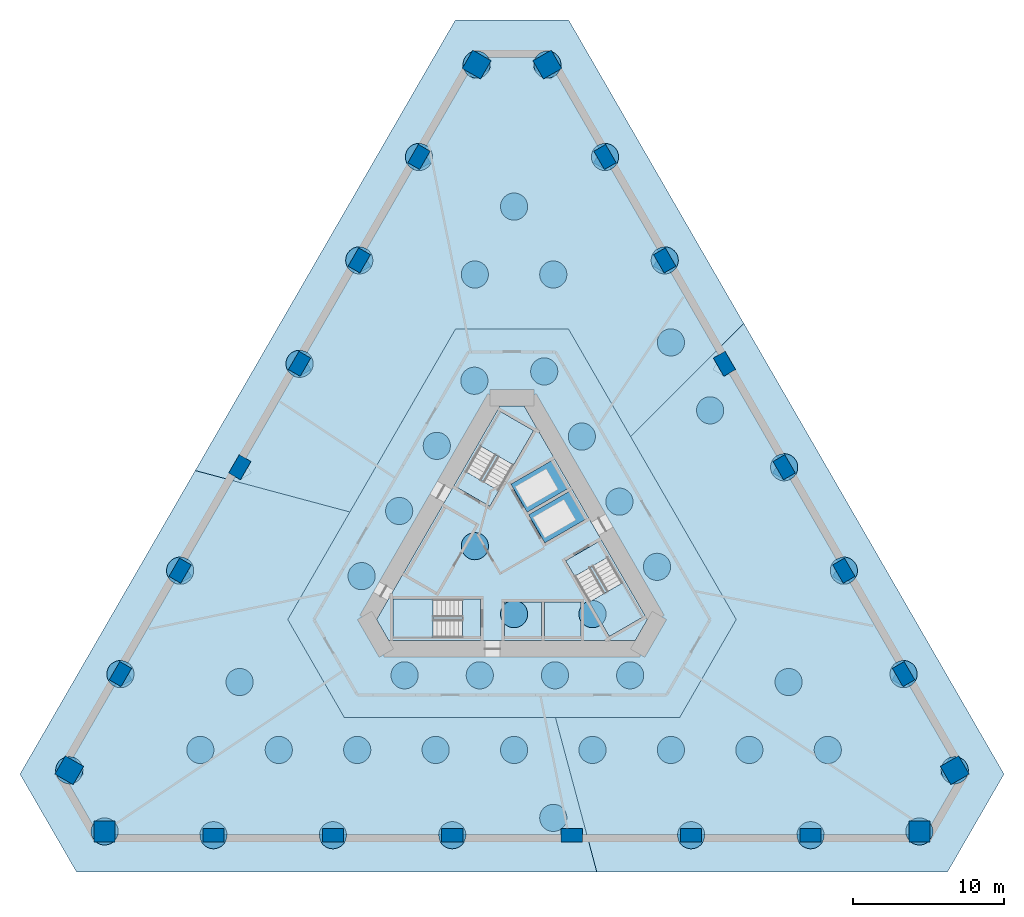
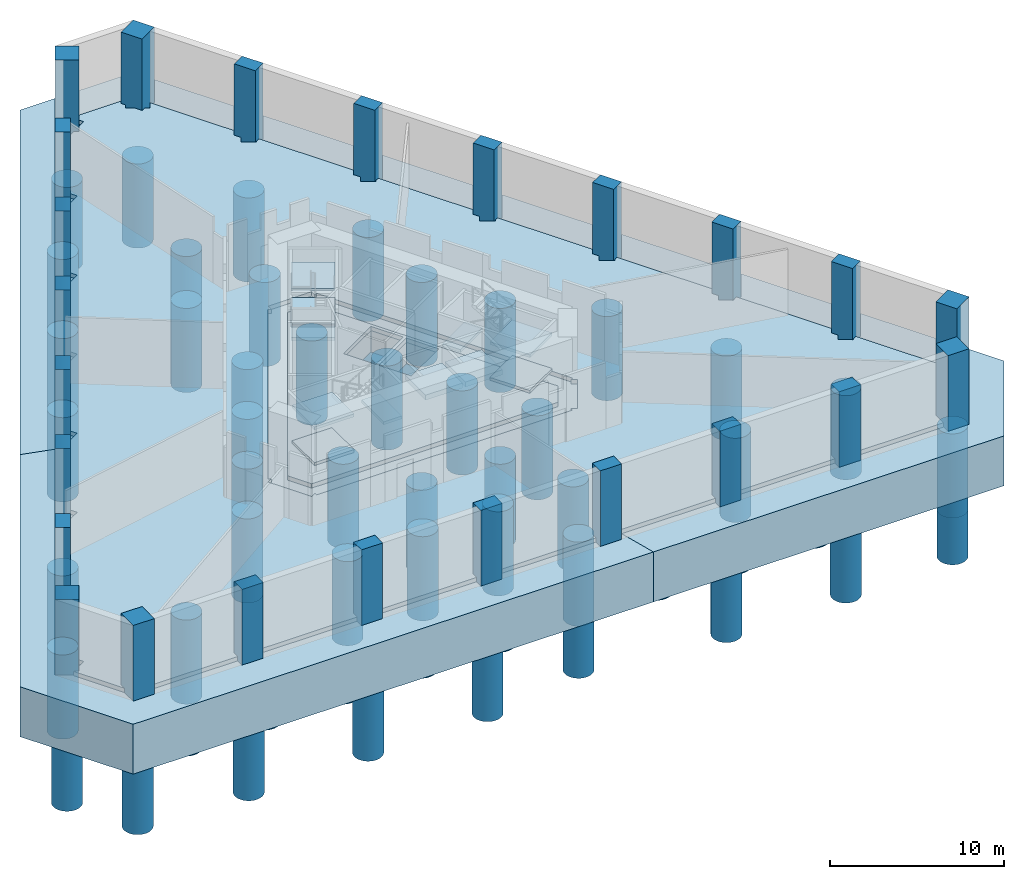
# One storey, part 1 of 7: 53 piles, 24 columns, 13 slabs, 6 footings, 3 elements without a shape of their own.
"""IFC4 building model written with IfcOpenShell, lengths in metres."""

from ifc_helpers import new_model, si_unit, direction, frame, origin, origin_2d, place, context, subcontext, project, spatial, polyline, rectangle, circle, outline, extrude, material, layer, layer_set, material_profile, profile_set, type_object, element, aggregate, save


model = new_model("IFC4")

# Units and contexts
model_context = context("Model", 3, precision=1e-05, world=origin(), true_north=direction((0.0, 1.0)))
body_context = subcontext(model_context, "Body", "Model", "MODEL_VIEW")
ifc_project = project(units=[si_unit("LENGTHUNIT", "METRE"), si_unit("AREAUNIT", "SQUARE_METRE"), si_unit("VOLUMEUNIT", "CUBIC_METRE"), si_unit("PLANEANGLEUNIT", "RADIAN"), si_unit("MASSUNIT", "GRAM", prefix="KILO")], contexts=[model_context])

# Site, building, storey
site_placement = place(None, origin())
site = spatial("IfcSite", under=ifc_project, at=site_placement, CompositionType="ELEMENT")
building_placement = place(site_placement, origin())
building = spatial("IfcBuilding", under=site, at=building_placement, Name="Tramontana Tower", CompositionType="ELEMENT")
storey_placement = place(building_placement, frame((0.0, 0.0, -5.0)))
storey = spatial("IfcBuildingStorey", under=building, at=storey_placement, Name="B1", CompositionType="ELEMENT", Elevation=-5.0)

# Piles
ifc_material_1 = material(Name="Concrete 50 MPa", Category="concrete")
ifc_material_profile_1 = material_profile(ifc_material_1, circle(Radius=0.89990234375, at=origin_2d()), Name="Bored pile 1800")
ifc_profile_set_1 = profile_set([ifc_material_profile_1], Name="Concrete 50 MPa")
pile_type = type_object("IfcPileType", Name="Bored pile 1800", PredefinedType="BORED", material=ifc_profile_set_1)
for number, where, z_axis, x_axis, name in (
    (1, (-2.342041015625, 32.5439453125, -3.800048828125), (0.0, 0.0, -1.0), (1.0, 0.0, 0.0), "Bored pile P001"),
    (2, (-6.1669921875, 26.41796875, -3.800048828125), (0.0, 0.0, -1.0), (1.0, 0.0, 0.0), "Bored pile P002"),
    (3, (-10.1259765625, 19.56103515625, -3.800048828125), (0.0, 0.0, -1.0), (1.0, 0.0, 0.0), "Bored pile P003"),
    (4, (-14.0849609375, 12.7041015625, -3.800048828125), (0.0, 0.0, -1.0), (1.0, 0.0, 0.0), "Bored pile P004"),
    (5, (-22.0029296875, -1.010986328125, -3.800048828125), (0.0, 0.0, -1.0), (1.0, 0.0, 0.0), "Bored pile P005"),
    (6, (-25.9619140625, -7.867919921875, -3.800048828125), (0.0, 0.0, -1.0), (1.0, 0.0, 0.0), "Bored pile P006"),
    (7, (-29.35498046875, -14.243896484375, -3.800048828125), (0.0, 0.0, -1.0), (1.0, 0.0, 0.0), "Bored pile P007"),
    (8, (-27.012939453125, -18.300048828125, -3.800048828125), (0.0, 0.0, -1.0), (1.0, 0.0, 0.0), "Bored pile P008"),
    (9, (-19.794921875, -18.550048828125, -3.800048828125), (0.0, 0.0, -1.0), (1.0, 0.0, 0.0), "Bored pile P009"),
    (10, (-11.876953125, -18.550048828125, -3.800048828125), (0.0, 0.0, -1.0), (1.0, 0.0, 0.0), "Bored pile P010"),
    (11, (-3.958984375, -18.550048828125, -3.800048828125), (0.0, 0.0, -1.0), (1.0, 0.0, 0.0), "Bored pile P011"),
    (12, (11.876953125, -18.550048828125, -3.800048828125), (0.0, 0.0, -1.0), (1.0, 0.0, 0.0), "Bored pile P012"),
    (13, (19.794921875, -18.550048828125, -3.800048828125), (0.0, 0.0, -1.0), (1.0, 0.0, 0.0), "Bored pile P013"),
    (14, (27.012939453125, -18.300048828125, -3.800048828125), (0.0, 0.0, -1.0), (1.0, 0.0, 0.0), "Bored pile P014"),
    (15, (29.35498046875, -14.243896484375, -3.800048828125), (0.0, 0.0, -1.0), (1.0, 0.0, 0.0), "Bored pile P015"),
    (16, (25.9619140625, -7.867919921875, -3.800048828125), (0.0, 0.0, -1.0), (1.0, 0.0, 0.0), "Bored pile P016"),
    (17, (22.0029296875, -1.010986328125, -3.800048828125), (0.0, 0.0, -1.0), (1.0, 0.0, 0.0), "Bored pile P017"),
    (18, (18.0439453125, 5.845947265625, -3.800048828125), (0.0, 0.0, -1.0), (1.0, 0.0, 0.0), "Bored pile P018"),
    (19, (10.1259765625, 19.56103515625, -3.800048828125), (0.0, 0.0, -1.0), (1.0, 0.0, 0.0), "Bored pile P019"),
    (20, (6.1669921875, 26.41796875, -3.800048828125), (0.0, 0.0, -1.0), (1.0, 0.0, 0.0), "Bored pile P020"),
    (21, (2.342041015625, 32.5439453125, -3.800048828125), (0.0, 0.0, -1.0), (1.0, 0.0, 0.0), "Bored pile P021"),
    (22, (2.135986328125, 12.199951171875, -3.800048828125), (0.0, 0.0, -1.0), (1.0, 0.0, 0.0), "Bored pile P022"),
    (23, (4.62890625, 7.882080078125, -3.800048828125), (0.0, 0.0, -1.0), (1.0, 0.0, 0.0), "Bored pile P023"),
    (24, (7.1220703125, 3.56396484375, -3.800048828125), (0.0, 0.0, -1.0), (1.0, 0.0, 0.0), "Bored pile P024"),
    (25, (9.614990234375, -0.75390625, -3.800048828125), (0.0, 0.0, -1.0), (1.0, 0.0, 0.0), "Bored pile P025"),
    (26, (7.8349609375, -7.949951171875, -3.800048828125), (0.0, 0.0, -1.0), (1.0, 0.0, 0.0), "Bored pile P026"),
    (27, (2.85009765625, -7.949951171875, -3.800048828125), (0.0, 0.0, -1.0), (1.0, 0.0, 0.0), "Bored pile P027"),
    (28, (-2.135986328125, -7.949951171875, -3.800048828125), (0.0, 0.0, -1.0), (1.0, 0.0, 0.0), "Bored pile P028"),
    (29, (-7.1220703125, -7.949951171875, -3.800048828125), (0.0, 0.0, -1.0), (1.0, 0.0, 0.0), "Bored pile P029"),
    (30, (-9.971923828125, -1.37109375, -3.800048828125), (0.0, 0.0, -1.0), (1.0, 0.0, 0.0), "Bored pile P030"),
    (31, (-7.47900390625, 2.946044921875, -3.800048828125), (0.0, 0.0, -1.0), (1.0, 0.0, 0.0), "Bored pile P031"),
    (32, (-4.986083984375, 7.263916015625, -3.800048828125), (0.0, 0.0, -1.0), (1.0, 0.0, 0.0), "Bored pile P032"),
    (33, (-2.492919921875, 11.58203125, -3.800048828125), (0.0, 0.0, -1.0), (1.0, 0.0, 0.0), "Bored pile P033"),
    (34, (2.737060546875, -17.39990234375, -3.800048828125), (0.0, 0.0, -1.0), (1.0, 0.0, 0.0), "Bored pile P034"),
    (35, (-20.6630859375, -12.89697265625, -3.800048828125), (0.0, 0.0, -1.0), (1.0, 0.0, 0.0), "Bored pile P035"),
    (36, (-15.462890625, -12.89697265625, -3.800048828125), (0.0, 0.0, -1.0), (1.0, 0.0, 0.0), "Bored pile P036"),
    (37, (-10.262939453125, -12.89697265625, -3.800048828125), (0.0, 0.0, -1.0), (1.0, 0.0, 0.0), "Bored pile P037"),
    (38, (-5.06298828125, -12.89697265625, -3.800048828125), (0.0, 0.0, -1.0), (1.0, 0.0, 0.0), "Bored pile P038"),
    (39, (0.136962890625, -12.89697265625, -3.800048828125), (0.0, 0.0, -1.0), (1.0, 0.0, 0.0), "Bored pile P039"),
    (40, (5.3369140625, -12.89697265625, -3.800048828125), (0.0, 0.0, -1.0), (1.0, 0.0, 0.0), "Bored pile P040"),
    (41, (10.537109375, -12.89697265625, -3.800048828125), (0.0, 0.0, -1.0), (1.0, 0.0, 0.0), "Bored pile P041"),
    (42, (15.737060546875, -12.89697265625, -3.800048828125), (0.0, 0.0, -1.0), (1.0, 0.0, 0.0), "Bored pile P042"),
    (43, (20.93701171875, -12.89697265625, -3.800048828125), (0.0, 0.0, -1.0), (1.0, 0.0, 0.0), "Bored pile P043"),
    (44, (-18.06298828125, -8.39404296875, -3.800048828125), (0.0, 0.0, -1.0), (1.0, 0.0, 0.0), "Bored pile P044"),
    (45, (18.3369140625, -8.39404296875, -3.800048828125), (0.0, 0.0, -1.0), (1.0, 0.0, 0.0), "Bored pile P045"),
    (46, (0.136962890625, -3.889892578125, -3.800048828125), (0.0, 0.0, -1.0), (1.0, 0.0, 0.0), "Bored pile P046"),
    (47, (5.3369140625, -3.889892578125, -3.800048828125), (0.0, 0.0, -1.0), (1.0, 0.0, 0.0), "Bored pile P047"),
    (48, (-2.462890625, 0.613037109375, -3.800048828125), (0.0, 0.0, -1.0), (1.0, 0.0, 0.0), "Bored pile P048"),
    (49, (13.136962890625, 9.618896484375, -3.800048828125), (0.0, 0.0, -1.0), (1.0, 0.0, 0.0), "Bored pile P049"),
    (50, (10.537109375, 14.1220703125, -3.800048828125), (0.0, 0.0, -1.0), (1.0, 0.0, 0.0), "Bored pile P050"),
    (51, (-2.462890625, 18.6259765625, -3.800048828125), (0.0, 0.0, -1.0), (1.0, 0.0, 0.0), "Bored pile P051"),
    (52, (2.737060546875, 18.6259765625, -3.800048828125), (0.0, 0.0, -1.0), (1.0, 0.0, 0.0), "Bored pile P052"),
    (53, (0.136962890625, 23.12890625, -3.800048828125), (0.0, 0.0, -1.0), (1.0, 0.0, 0.0), "Bored pile P053"),
):
    element("IfcPile", number, at=place(storey_placement, frame(where, z_axis=z_axis, x_axis=x_axis)), inside=storey, type_object=pile_type, Name=name, PredefinedType="BORED", context=body_context, shape_type="SweptSolid", body=[
        extrude(circle(Radius=0.89990234375, at=origin_2d()), origin(), (0.0, 0.0, 1.0), 5.89990234375),
    ])

# Footings
ifc_material_2 = material(Name="Concrete 50 MPa", Category="concrete")
ifc_layer_1 = layer(ifc_material_2, 3.5)
ifc_layer_set_1 = layer_set([ifc_layer_1], Name="Pile cap 3500 50 MPa")
footing_type_1 = type_object("IfcFootingType", Name="Pile cap 3500 50 MPa", PredefinedType="PILE_CAP", material=ifc_layer_set_1)
footing_1_placement = place(storey_placement, frame((0.0, 0.0, -3.800048828125)))
element("IfcFooting", 54, at=footing_1_placement, inside=storey, type_object=footing_type_1, Name="Pile cap 1", PredefinedType="PILE_CAP", context=body_context, shape_type="SweptSolid", body=[
    extrude(outline(polyline([(-3.752685546875, 35.5), (3.752685546875, 35.5), (15.373046875, 15.373046875), (7.869384765625, 7.869384765625), (3.752685546875, 15.0), (-3.752685546875, 15.0), (-10.75, 2.880615234375), (-21.0, 5.626953125), (-3.752685546875, 35.5)])), origin(), (0.0, 0.0, 1.0), 3.5),
])
footing_2_placement = place(storey_placement, frame((0.0, 0.0, -3.800048828125)))
element("IfcFooting", 55, at=footing_2_placement, inside=storey, type_object=footing_type_1, Name="Pile cap 2", PredefinedType="PILE_CAP", context=body_context, shape_type="SweptSolid", body=[
    extrude(outline(polyline([(-28.867431640625, -21.0), (-32.620361328125, -14.5), (-21.0, 5.626953125), (-10.75, 2.880615234375), (-14.86669921875, -4.25), (-11.114013671875, -10.75), (2.880615234375, -10.75), (5.626953125, -21.0), (-28.867431640625, -21.0)])), origin(), (0.0, 0.0, 1.0), 3.5),
])
footing_3_placement = place(storey_placement, frame((0.0, 0.0, -3.800048828125)))
element("IfcFooting", 56, at=footing_3_placement, inside=storey, type_object=footing_type_1, Name="Pile cap 3", PredefinedType="PILE_CAP", context=body_context, shape_type="SweptSolid", body=[
    extrude(outline(polyline([(28.867431640625, -21.0), (5.626953125, -21.0), (2.880615234375, -10.75), (11.114013671875, -10.75), (14.86669921875, -4.25), (7.869384765625, 7.869384765625), (15.373046875, 15.373046875), (32.620361328125, -14.5), (28.867431640625, -21.0)])), origin(), (0.0, 0.0, 1.0), 3.5),
])
ifc_material_3 = material(Name="Concrete 50 MPa", Category="concrete")
ifc_layer_2 = layer(ifc_material_3, 2.0)
ifc_layer_set_2 = layer_set([ifc_layer_2], Name="Pile cap raft 2000 50 MPa")
footing_type_2 = type_object("IfcFootingType", Name="Pile cap raft 2000 50 MPa", PredefinedType="PILE_CAP", material=ifc_layer_set_2)
footing_4_placement = place(storey_placement, frame((0.0, 0.0, -3.800048828125)))
element("IfcFooting", 57, at=footing_4_placement, inside=storey, type_object=footing_type_2, Name="Raft lift pit 01", PredefinedType="PILE_CAP", context=body_context, shape_type="SweptSolid", body=[
    extrude(outline(polyline([(2.177001953125, 0.82958984375), (4.90478515625, 2.404541015625), (3.829833984375, 4.2666015625), (1.101806640625, 2.69140625), (2.177001953125, 0.82958984375)])), origin(), (0.0, 0.0, 1.0), 2.0),
])
footing_5_placement = place(storey_placement, frame((0.0, 0.0, -3.800048828125)))
element("IfcFooting", 58, at=footing_5_placement, inside=storey, type_object=footing_type_2, Name="Raft lift pit 02", PredefinedType="PILE_CAP", context=body_context, shape_type="SweptSolid", body=[
    extrude(outline(polyline([(1.001953125, 2.86474609375), (3.729736328125, 4.439697265625), (2.65478515625, 6.3017578125), (-0.072998046875, 4.726806640625), (1.001953125, 2.86474609375)])), origin(), (0.0, 0.0, 1.0), 2.0),
])
ifc_material_4 = material(Name="Concrete 50 MPa", Category="concrete")
ifc_layer_3 = layer(ifc_material_4, 3.5)
ifc_layer_set_3 = layer_set([ifc_layer_3], Name="Pile cap raft 3500 50 MPa")
footing_type_3 = type_object("IfcFootingType", Name="Pile cap raft 3500 50 MPa", PredefinedType="PILE_CAP", material=ifc_layer_set_3)
footing_6_placement = place(storey_placement, frame((0.0, 0.0, -3.800048828125)))
element("IfcFooting", 59, at=footing_6_placement, inside=storey, type_object=footing_type_3, Name="Raft", PredefinedType="PILE_CAP", context=body_context, shape_type="SweptSolid", body=[
    extrude(outline(polyline([(11.114013671875, -10.75), (-11.114013671875, -10.75), (-14.86669921875, -4.25), (-3.752685546875, 15.0), (3.752685546875, 15.0), (14.86669921875, -4.25), (11.114013671875, -10.75)]), holes=[polyline([(2.177001953125, 0.82958984375), (4.90478515625, 2.404541015625), (3.829833984375, 4.2666015625), (1.101806640625, 2.69140625), (2.177001953125, 0.82958984375)]), polyline([(1.001953125, 2.86474609375), (3.729736328125, 4.439697265625), (2.65478515625, 6.3017578125), (-0.072998046875, 4.726806640625), (1.001953125, 2.86474609375)])]), origin(), (0.0, 0.0, 1.0), 3.5),
])

# Columns
ifc_material_5 = material(Name="Concrete 70 MPa", Category="concrete")
ifc_material_profile_2 = material_profile(ifc_material_5, rectangle(XDim=1.39990234375, YDim=1.39990234375, at=origin_2d()), Name="Mega column 1400X1400 70 MPa")
ifc_profile_set_2 = profile_set([ifc_material_profile_2], Name="Concrete 70 MPa")
column_type_1 = type_object("IfcColumnType", Name="Mega column 1400X1400 70 MPa", PredefinedType="COLUMN", material=ifc_profile_set_2)
for number, where, z_axis, x_axis, name in (
    (60, (-2.341796875, 32.543701171875, -0.300048828125), (0.0, 0.0, 1.0), (-0.5, -0.866025403784, 0.0), "Mega column C0K1 B1"),
    (61, (-29.354736328125, -14.243896484375, -0.300048828125), (0.0, 0.0, 1.0), (-0.5, -0.866025403784, 0.0), "Mega column C0K2 B1"),
    (62, (-27.0126953125, -18.300048828125, -0.300048828125), (0.0, 0.0, 1.0), (1.0, 0.0, 0.0), "Mega column C0K3 B1"),
    (63, (27.0126953125, -18.300048828125, -0.300048828125), (0.0, 0.0, 1.0), (1.0, 0.0, 0.0), "Mega column C0K4 B1"),
    (64, (29.354736328125, -14.243896484375, -0.300048828125), (0.0, 0.0, 1.0), (-0.5, 0.866025403784, 0.0), "Mega column C0K5 B1"),
    (65, (2.341796875, 32.543701171875, -0.300048828125), (0.0, 0.0, 1.0), (-0.5, 0.866025403784, 0.0), "Mega column C0K6 B1"),
):
    element("IfcColumn", number, at=place(storey_placement, frame(where, z_axis=z_axis, x_axis=x_axis)), inside=storey, type_object=column_type_1, Name=name, PredefinedType="COLUMN", context=body_context, shape_type="SweptSolid", body=[
        extrude(rectangle(XDim=1.39990234375, YDim=1.39990234375, at=origin_2d()), origin(), (0.0, 0.0, 1.0), 5.300048828125),
    ])
ifc_material_6 = material(Name="Concrete 55 MPa", Category="concrete")
ifc_material_profile_3 = material_profile(ifc_material_6, rectangle(XDim=1.39990234375, YDim=0.89990234375, at=origin_2d()), Name="Pier column 1400X900 55 MPa")
ifc_profile_set_3 = profile_set([ifc_material_profile_3], Name="Concrete 55 MPa")
column_type_2 = type_object("IfcColumnType", Name="Pier column 1400X900 55 MPa", PredefinedType="COLUMN", material=ifc_profile_set_3)
for number, where, z_axis, x_axis, name in (
    (66, (-6.167236328125, 26.41796875, -0.300048828125), (0.0, 0.0, 1.0), (-0.5, -0.866025403784, 0.0), "Pier column C0F01 B1"),
    (67, (-10.126220703125, 19.560791015625, -0.300048828125), (0.0, 0.0, 1.0), (-0.5, -0.866025403784, 0.0), "Pier column C0F02 B1"),
    (68, (-14.085205078125, 12.70361328125, -0.300048828125), (0.0, 0.0, 1.0), (-0.5, -0.866025403784, 0.0), "Pier column C0F03 B1"),
    (69, (-18.044189453125, 5.846435546875, -0.300048828125), (0.0, 0.0, 1.0), (-0.5, -0.866025403784, 0.0), "Pier column C0F04 B1"),
    (70, (-22.003173828125, -1.0107421875, -0.300048828125), (0.0, 0.0, 1.0), (-0.5, -0.866025403784, 0.0), "Pier column C0F05 B1"),
    (71, (-25.962158203125, -7.867919921875, -0.300048828125), (0.0, 0.0, 1.0), (-0.5, -0.866025403784, 0.0), "Pier column C0F06 B1"),
    (72, (-19.794921875, -18.550048828125, -0.300048828125), (0.0, 0.0, 1.0), (1.0, 0.0, 0.0), "Pier column C0F07 B1"),
    (73, (-11.876953125, -18.550048828125, -0.300048828125), (0.0, 0.0, 1.0), (1.0, 0.0, 0.0), "Pier column C0F08 B1"),
    (74, (-3.958984375, -18.550048828125, -0.300048828125), (0.0, 0.0, 1.0), (1.0, 0.0, 0.0), "Pier column C0F09 B1"),
    (75, (3.958984375, -18.550048828125, -0.300048828125), (0.0, 0.0, 1.0), (1.0, 0.0, 0.0), "Pier column C0F10 B1"),
    (76, (11.876953125, -18.550048828125, -0.300048828125), (0.0, 0.0, 1.0), (1.0, 0.0, 0.0), "Pier column C0F11 B1"),
    (77, (19.794921875, -18.550048828125, -0.300048828125), (0.0, 0.0, 1.0), (1.0, 0.0, 0.0), "Pier column C0F12 B1"),
    (78, (25.962158203125, -7.867919921875, -0.300048828125), (0.0, 0.0, 1.0), (-0.5, 0.866025403784, 0.0), "Pier column C0F13 B1"),
    (79, (22.003173828125, -1.0107421875, -0.300048828125), (0.0, 0.0, 1.0), (-0.5, 0.866025403784, 0.0), "Pier column C0F14 B1"),
    (80, (18.044189453125, 5.846435546875, -0.300048828125), (0.0, 0.0, 1.0), (-0.5, 0.866025403784, 0.0), "Pier column C0F15 B1"),
    (81, (14.085205078125, 12.70361328125, -0.300048828125), (0.0, 0.0, 1.0), (-0.5, 0.866025403784, 0.0), "Pier column C0F16 B1"),
    (82, (10.126220703125, 19.560791015625, -0.300048828125), (0.0, 0.0, 1.0), (-0.5, 0.866025403784, 0.0), "Pier column C0F17 B1"),
    (83, (6.167236328125, 26.41796875, -0.300048828125), (0.0, 0.0, 1.0), (-0.5, 0.866025403784, 0.0), "Pier column C0F18 B1"),
):
    element("IfcColumn", number, at=place(storey_placement, frame(where, z_axis=z_axis, x_axis=x_axis)), inside=storey, type_object=column_type_2, Name=name, PredefinedType="COLUMN", context=body_context, shape_type="SweptSolid", body=[
        extrude(rectangle(XDim=1.39990234375, YDim=0.89990234375, at=origin_2d()), origin(), (0.0, 0.0, 1.0), 5.300048828125),
    ])

# Slabs
ifc_material_7 = material(Name="Concrete 70 MPa", Category="concrete")
ifc_layer_4 = layer(ifc_material_7, 0.35009765625)
ifc_layer_set_4 = layer_set([ifc_layer_4], Name="LIFT PIT FLOOR 350")
slab_type_1 = type_object("IfcSlabType", Name="LIFT PIT FLOOR 350", PredefinedType="USERDEFINED", material=ifc_layer_set_4)
slab_1_placement = place(storey_placement, frame((0.0, 0.0, 3.050048828125)))
element("IfcSlab", 84, at=slab_1_placement, inside=storey, type_object=slab_type_1, Name="Lift pit floor S1", ObjectType="LIFT PIT FLOOR", PredefinedType="USERDEFINED", context=body_context, shape_type="SweptSolid", body=[
    extrude(outline(polyline([(-0.510009765625, -3.10009765625), (-0.510009765625, -5.449951171875), (1.93994140625, -5.449951171875), (1.93994140625, -3.10009765625), (-0.510009765625, -3.10009765625)])), origin(), (0.0, 0.0, 1.0), 0.349853515625),
])
slab_2_placement = place(storey_placement, frame((0.0, 0.0, 3.050048828125)))
element("IfcSlab", 85, at=slab_2_placement, inside=storey, type_object=slab_type_1, Name="Lift pit floor S2", ObjectType="LIFT PIT FLOOR", PredefinedType="USERDEFINED", context=body_context, shape_type="SweptSolid", body=[
    extrude(outline(polyline([(2.139892578125, -3.10009765625), (2.139892578125, -5.449951171875), (4.590087890625, -5.449951171875), (4.590087890625, -3.10009765625), (2.139892578125, -3.10009765625)])), origin(), (0.0, 0.0, 1.0), 0.349853515625),
])
ifc_material_8 = material(Name="Concrete 50 MPa", Category="concrete")
ifc_layer_5 = layer(ifc_material_8, 0.300048828125)
ifc_layer_set_5 = layer_set([ifc_layer_5], Name="RC BASE SLAB 300 50 MPa")
slab_type_2 = type_object("IfcSlabType", Name="RC BASE SLAB 300 50 MPa", PredefinedType="BASESLAB", material=ifc_layer_set_5)
slab_3_placement = place(storey_placement, frame((0.0, 0.0, -0.300048828125)))
element("IfcSlab", 86, at=slab_3_placement, inside=storey, type_object=slab_type_2, Name="Basement floor slab B1", PredefinedType="BASESLAB", context=body_context, shape_type="SweptSolid", body=[
    extrude(outline(polyline([(5.77392578125, 26.9990234375), (5.427490234375, 26.799072265625), (5.647705078125, 26.41796875), (5.427490234375, 26.03662109375), (6.087890625, 25.655517578125), (6.127685546875, 25.586669921875), (6.167236328125, 25.609619140625), (6.20703125, 25.586669921875), (6.246826171875, 25.655517578125), (6.47412109375, 25.78662109375), (9.73291015625, 20.141845703125), (9.38671875, 19.94189453125), (9.606689453125, 19.560791015625), (9.38671875, 19.179443359375), (10.046875, 18.79833984375), (10.086669921875, 18.7294921875), (10.126220703125, 18.75244140625), (10.166015625, 18.7294921875), (10.205810546875, 18.79833984375), (10.43310546875, 18.929443359375), (13.69189453125, 13.284912109375), (13.345703125, 13.084716796875), (13.565673828125, 12.70361328125), (13.345703125, 12.322509765625), (14.005859375, 11.941162109375), (14.045654296875, 11.872314453125), (14.085205078125, 11.895263671875), (14.125, 11.872314453125), (14.164794921875, 11.941162109375), (14.39208984375, 12.072509765625), (17.65087890625, 6.427490234375), (17.304443359375, 6.2275390625), (17.524658203125, 5.846435546875), (17.304443359375, 5.465087890625), (17.96484375, 5.083984375), (18.00439453125, 5.01513671875), (18.044189453125, 5.0380859375), (18.083984375, 5.01513671875), (18.123779296875, 5.083984375), (18.35107421875, 5.215087890625), (21.60986328125, -0.429443359375), (21.263427734375, -0.62939453125), (21.483642578125, -1.0107421875), (21.263427734375, -1.391845703125), (21.923828125, -1.773193359375), (21.96337890625, -1.841796875), (22.003173828125, -1.819091796875), (22.04296875, -1.841796875), (22.082763671875, -1.773193359375), (22.309814453125, -1.641845703125), (25.56884765625, -7.28662109375), (25.222412109375, -7.486572265625), (25.442626953125, -7.867919921875), (25.222412109375, -8.2490234375), (25.8828125, -8.63037109375), (25.922607421875, -8.69921875), (25.962158203125, -8.676025390625), (26.001953125, -8.69921875), (26.04150390625, -8.63037109375), (26.268798828125, -8.4990234375), (29.06591796875, -13.34375), (28.84228515625, -13.731201171875), (28.3984375, -13.987548828125), (28.54638671875, -14.243896484375), (28.3984375, -14.5), (28.84228515625, -14.756103515625), (29.098388671875, -15.199951171875), (29.354736328125, -15.052001953125), (29.39990234375, -15.078125), (27.712890625, -18.0), (27.712890625, -17.60009765625), (26.312744140625, -17.60009765625), (26.312744140625, -18.5), (20.494873046875, -18.5), (20.494873046875, -18.10009765625), (19.094970703125, -18.10009765625), (19.094970703125, -18.5), (12.576904296875, -18.5), (12.576904296875, -18.10009765625), (11.177001953125, -18.10009765625), (11.177001953125, -18.5), (9.141357421875, -18.5), (4.658935546875, -18.5), (4.658935546875, -18.10009765625), (3.259033203125, -18.10009765625), (3.259033203125, -18.5), (-3.259033203125, -18.5), (-3.259033203125, -18.10009765625), (-4.658935546875, -18.10009765625), (-4.658935546875, -18.5), (-9.141357421875, -18.5), (-11.177001953125, -18.5), (-11.177001953125, -18.10009765625), (-12.576904296875, -18.10009765625), (-12.576904296875, -18.5), (-14.480224609375, -18.5), (-19.094970703125, -18.5), (-19.094970703125, -18.10009765625), (-20.494873046875, -18.10009765625), (-20.494873046875, -18.5), (-26.312744140625, -18.5), (-26.312744140625, -17.60009765625), (-27.712890625, -17.60009765625), (-27.712890625, -18.0), (-29.39990234375, -15.078125), (-29.354736328125, -15.052001953125), (-29.098388671875, -15.199951171875), (-28.84228515625, -14.756103515625), (-28.3984375, -14.5), (-28.54638671875, -14.243896484375), (-28.3984375, -13.987548828125), (-28.84228515625, -13.731201171875), (-29.06591796875, -13.34375), (-26.268798828125, -8.4990234375), (-26.04150390625, -8.63037109375), (-26.001953125, -8.69921875), (-25.962158203125, -8.676025390625), (-25.922607421875, -8.69921875), (-25.8828125, -8.63037109375), (-25.222412109375, -8.2490234375), (-25.442626953125, -7.867919921875), (-25.222412109375, -7.486572265625), (-25.56884765625, -7.28662109375), (-22.309814453125, -1.641845703125), (-22.082763671875, -1.773193359375), (-22.04296875, -1.841796875), (-22.003173828125, -1.819091796875), (-21.96337890625, -1.841796875), (-21.923828125, -1.773193359375), (-21.263427734375, -1.391845703125), (-21.483642578125, -1.0107421875), (-21.263427734375, -0.62939453125), (-21.60986328125, -0.429443359375), (-18.35107421875, 5.215087890625), (-18.123779296875, 5.083984375), (-18.083984375, 5.01513671875), (-18.044189453125, 5.0380859375), (-18.00439453125, 5.01513671875), (-17.96484375, 5.083984375), (-17.304443359375, 5.465087890625), (-17.524658203125, 5.846435546875), (-17.304443359375, 6.2275390625), (-17.65087890625, 6.427490234375), (-14.39208984375, 12.072509765625), (-14.164794921875, 11.941162109375), (-14.125, 11.872314453125), (-14.085205078125, 11.895263671875), (-14.045654296875, 11.872314453125), (-14.005859375, 11.941162109375), (-13.345703125, 12.322509765625), (-13.565673828125, 12.70361328125), (-13.345703125, 13.084716796875), (-13.69189453125, 13.284912109375), (-10.43310546875, 18.929443359375), (-10.205810546875, 18.79833984375), (-10.166015625, 18.7294921875), (-10.126220703125, 18.75244140625), (-10.086669921875, 18.7294921875), (-10.046875, 18.79833984375), (-9.38671875, 19.179443359375), (-9.606689453125, 19.560791015625), (-9.38671875, 19.94189453125), (-9.73291015625, 20.141845703125), (-6.47412109375, 25.78662109375), (-6.246826171875, 25.655517578125), (-6.20703125, 25.586669921875), (-6.167236328125, 25.609619140625), (-6.127685546875, 25.586669921875), (-6.087890625, 25.655517578125), (-5.427490234375, 26.03662109375), (-5.647705078125, 26.41796875), (-5.427490234375, 26.799072265625), (-5.77392578125, 26.9990234375), (-2.864990234375, 32.03759765625), (-2.854248046875, 32.03125), (-2.59814453125, 31.587646484375), (-2.341796875, 31.735595703125), (-2.085693359375, 31.587646484375), (-1.829345703125, 32.03125), (-1.385498046875, 32.28759765625), (-1.53369140625, 32.543701171875), (-1.385498046875, 32.800048828125), (-1.732177734375, 33.0), (1.732177734375, 33.0), (1.385498046875, 32.800048828125), (1.53369140625, 32.543701171875), (1.385498046875, 32.28759765625), (1.829345703125, 32.03125), (2.085693359375, 31.587646484375), (2.341796875, 31.735595703125), (2.59814453125, 31.587646484375), (2.854248046875, 32.03125), (2.864990234375, 32.03759765625), (5.77392578125, 26.9990234375)]), holes=[polyline([(8.487060546875, -6.566650390625), (8.8046875, -6.75), (10.248046875, -4.25), (9.930419921875, -4.066650390625), (10.089111328125, -3.97509765625), (1.60205078125, 10.72509765625), (1.443359375, 10.63330078125), (1.443359375, 11.0), (-1.443359375, 11.0), (-1.443359375, 10.63330078125), (-1.60205078125, 10.72509765625), (-10.089111328125, -3.97509765625), (-9.930419921875, -4.066650390625), (-10.248046875, -4.25), (-8.8046875, -6.75), (-8.487060546875, -6.566650390625), (-8.487060546875, -6.75), (8.487060546875, -6.75), (8.487060546875, -6.566650390625)])]), origin(), (0.0, 0.0, 1.0), 0.300048828125),
])
slab_4_placement = place(storey_placement, frame((0.0, 0.0, -0.300048828125)))
element("IfcSlab", 87, at=slab_4_placement, inside=storey, type_object=slab_type_2, Name="Basement floor slab B1", PredefinedType="BASESLAB", context=body_context, shape_type="SweptSolid", body=[
    extrude(outline(polyline([(0.808349609375, 9.89990234375), (8.977783203125, -4.25), (8.16943359375, -5.64990234375), (-8.16943359375, -5.64990234375), (-8.977783203125, -4.25), (-0.808349609375, 9.89990234375), (0.808349609375, 9.89990234375)]), holes=[polyline([(2.177001953125, 0.82958984375), (4.90478515625, 2.404541015625), (3.829833984375, 4.2666015625), (1.101806640625, 2.69140625), (2.177001953125, 0.82958984375)]), polyline([(1.001953125, 2.86474609375), (3.729736328125, 4.439697265625), (2.65478515625, 6.3017578125), (-0.072998046875, 4.726806640625), (1.001953125, 2.86474609375)])]), origin(), (0.0, 0.0, 1.0), 0.300048828125),
])

# Stair, slabs
ifc_material_9 = material(Name="Concrete 40 MPa", Category="concrete")
stair_type = type_object("IfcStairType", Name="EXIT STAIR 32 RISERS", PredefinedType="HALF_TURN_STAIR", material=ifc_material_9)
stair_1_placement = place(storey_placement, origin())
stair_1 = element("IfcStair", 88, at=stair_1_placement, inside=storey, type_object=stair_type, Name="B1 Exit stair ST1", PredefinedType="HALF_TURN_STAIR")
ifc_material_10 = material(Name="Concrete 40 MPa", Category="concrete")
ifc_layer_6 = layer(ifc_material_10, 0.199951171875)
ifc_layer_set_6 = layer_set([ifc_layer_6], Name="STAIR LANDING 200")
slab_type_3 = type_object("IfcSlabType", Name="STAIR LANDING 200", PredefinedType="LANDING", material=ifc_layer_set_6)
slab_5_placement = place(storey_placement, frame((0.0, 0.0, 1.050048828125)))
slab_5 = element("IfcSlab", 89, at=slab_5_placement, type_object=slab_type_3, Name="ST1 landing 1", PredefinedType="LANDING", context=body_context, shape_type="SweptSolid", body=[
    extrude(outline(polyline([(0.108642578125, 5.988037109375), (1.428466796875, 8.274169921875), (-0.77978515625, 9.54931640625), (-2.099853515625, 7.262939453125), (0.108642578125, 5.988037109375)])), origin(), (0.0, 0.0, 1.0), 0.199951171875),
])
slab_6_placement = place(storey_placement, frame((0.0, 0.0, 2.300048828125)))
slab_6 = element("IfcSlab", 90, at=slab_6_placement, type_object=slab_type_3, Name="ST1 landing 2", PredefinedType="LANDING", context=body_context, shape_type="SweptSolid", body=[
    extrude(outline(polyline([(-1.471435546875, 3.251220703125), (-0.87158203125, 4.29052734375), (-3.079833984375, 5.565673828125), (-3.679931640625, 4.5263671875), (-1.471435546875, 3.251220703125)])), origin(), (0.0, 0.0, 1.0), 0.199951171875),
])
slab_7_placement = place(storey_placement, frame((0.0, 0.0, 3.550048828125)))
slab_7 = element("IfcSlab", 91, at=slab_7_placement, type_object=slab_type_3, Name="ST1 landing 3", PredefinedType="LANDING", context=body_context, shape_type="SweptSolid", body=[
    extrude(outline(polyline([(0.108642578125, 5.988037109375), (1.428466796875, 8.274169921875), (-0.77978515625, 9.54931640625), (-2.099853515625, 7.262939453125), (0.108642578125, 5.988037109375)])), origin(), (0.0, 0.0, 1.0), 0.199951171875),
])
aggregate(stair_1, [slab_5, slab_6, slab_7])

stair_2_placement = place(storey_placement, origin())
stair_2 = element("IfcStair", 92, at=stair_2_placement, inside=storey, type_object=stair_type, Name="B1 Exit stair ST2", PredefinedType="HALF_TURN_STAIR")
slab_8_placement = place(storey_placement, frame((0.0, 0.0, 1.050048828125)))
slab_8 = element("IfcSlab", 93, at=slab_8_placement, type_object=slab_type_3, Name="ST2 landing 1", PredefinedType="LANDING", context=body_context, shape_type="SweptSolid", body=[
    extrude(outline(polyline([(-5.239990234375, -2.89990234375), (-7.8798828125, -2.89990234375), (-7.8798828125, -5.449951171875), (-5.239990234375, -5.449951171875), (-5.239990234375, -2.89990234375)])), origin(), (0.0, 0.0, 1.0), 0.199951171875),
])
slab_9_placement = place(storey_placement, frame((0.0, 0.0, 2.300048828125)))
slab_9 = element("IfcSlab", 94, at=slab_9_placement, type_object=slab_type_3, Name="ST2 landing 2", PredefinedType="LANDING", context=body_context, shape_type="SweptSolid", body=[
    extrude(outline(polyline([(-2.080078125, -2.89990234375), (-3.280029296875, -2.89990234375), (-3.280029296875, -5.449951171875), (-2.080078125, -5.449951171875), (-2.080078125, -2.89990234375)])), origin(), (0.0, 0.0, 1.0), 0.199951171875),
])
slab_10_placement = place(storey_placement, frame((0.0, 0.0, 3.550048828125)))
slab_10 = element("IfcSlab", 95, at=slab_10_placement, type_object=slab_type_3, Name="ST2 landing 3", PredefinedType="LANDING", context=body_context, shape_type="SweptSolid", body=[
    extrude(outline(polyline([(-5.239990234375, -2.89990234375), (-7.8798828125, -2.89990234375), (-7.8798828125, -5.449951171875), (-5.239990234375, -5.449951171875), (-5.239990234375, -2.89990234375)])), origin(), (0.0, 0.0, 1.0), 0.199951171875),
])
aggregate(stair_2, [slab_8, slab_9, slab_10])

stair_3_placement = place(storey_placement, origin())
stair_3 = element("IfcStair", 96, at=stair_3_placement, inside=storey, type_object=stair_type, Name="B1 Exit stair ST3", PredefinedType="HALF_TURN_STAIR")
slab_11_placement = place(storey_placement, frame((0.0, 0.0, 1.050048828125)))
slab_11 = element("IfcSlab", 97, at=slab_11_placement, type_object=slab_type_3, Name="ST3 landing 1", PredefinedType="LANDING", context=body_context, shape_type="SweptSolid", body=[
    extrude(outline(polyline([(5.131591796875, -3.087890625), (6.451416015625, -5.374267578125), (8.659912109375, -4.099365234375), (7.33984375, -1.81298828125), (5.131591796875, -3.087890625)])), origin(), (0.0, 0.0, 1.0), 0.199951171875),
])
slab_12_placement = place(storey_placement, frame((0.0, 0.0, 2.300048828125)))
slab_12 = element("IfcSlab", 98, at=slab_12_placement, type_object=slab_type_3, Name="ST3 landing 2", PredefinedType="LANDING", context=body_context, shape_type="SweptSolid", body=[
    extrude(outline(polyline([(3.551513671875, -0.351318359375), (4.1513671875, -1.390625), (6.35986328125, -0.115478515625), (5.759765625, 0.923583984375), (3.551513671875, -0.351318359375)])), origin(), (0.0, 0.0, 1.0), 0.199951171875),
])
slab_13_placement = place(storey_placement, frame((0.0, 0.0, 3.550048828125)))
slab_13 = element("IfcSlab", 99, at=slab_13_placement, type_object=slab_type_3, Name="ST3 landing 3", PredefinedType="LANDING", context=body_context, shape_type="SweptSolid", body=[
    extrude(outline(polyline([(5.131591796875, -3.087890625), (6.451416015625, -5.374267578125), (8.659912109375, -4.099365234375), (7.33984375, -1.81298828125), (5.131591796875, -3.087890625)])), origin(), (0.0, 0.0, 1.0), 0.199951171875),
])
aggregate(stair_3, [slab_11, slab_12, slab_13])

save(model, "model.ifc")
